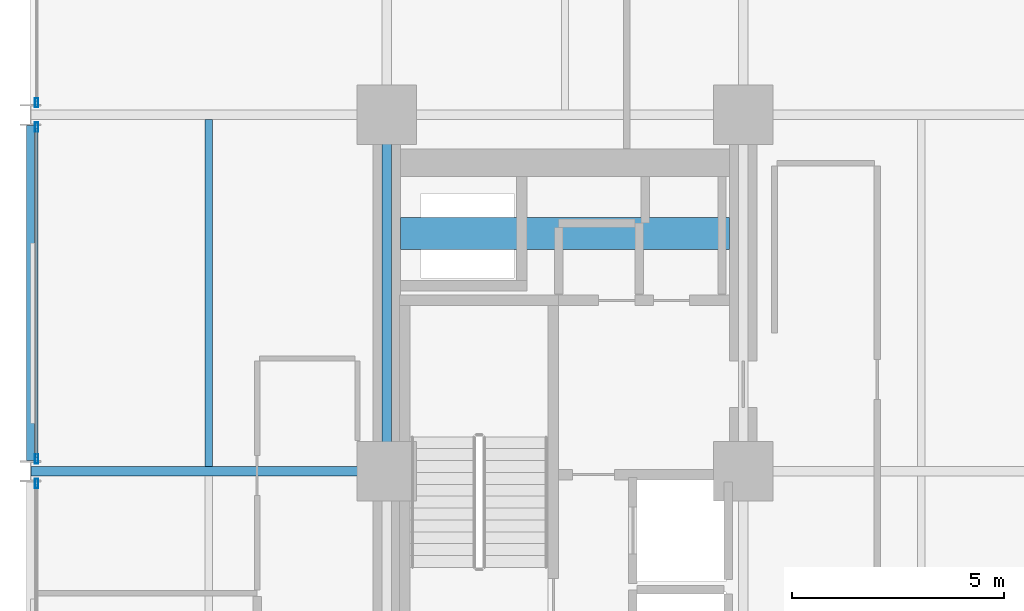
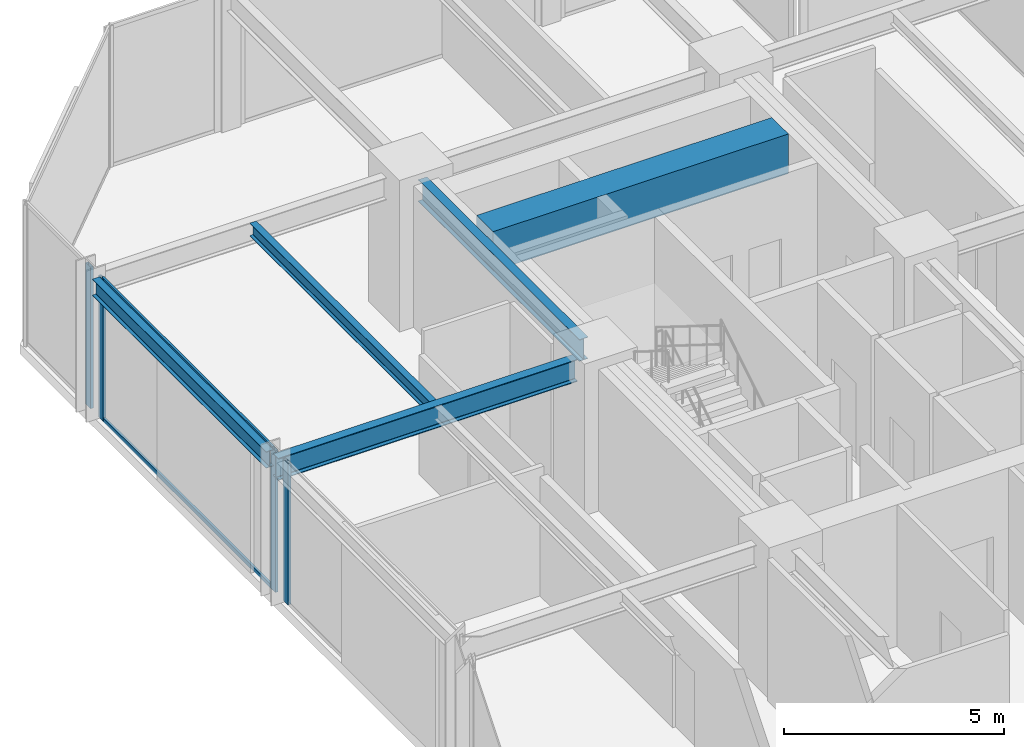
# One storey, part 14 of 25: 6 members, 5 beams, 3 elements without a shape of their own.
"""IFC4 building model written with IfcOpenShell, lengths in metres."""

from ifc_helpers import new_model, si_unit, direction, frame, origin, origin_2d, place, context, subcontext, project, spatial, rectangle, hollow_rectangle, i_section, extrude, material, layer, layer_set, material_profile, profile_set, type_object, element, aggregate, save


model = new_model("IFC4")

# Units and contexts
model_context = context("Model", 3, precision=1e-05, world=origin(), true_north=direction((0.0, 1.0)))
body_context = subcontext(model_context, "Body", "Model", "MODEL_VIEW")
ifc_project = project(units=[si_unit("LENGTHUNIT", "METRE"), si_unit("AREAUNIT", "SQUARE_METRE"), si_unit("VOLUMEUNIT", "CUBIC_METRE"), si_unit("PLANEANGLEUNIT", "RADIAN"), si_unit("MASSUNIT", "GRAM", prefix="KILO")], contexts=[model_context])

# Site, building, storey
site_placement = place(None, origin())
site = spatial("IfcSite", under=ifc_project, at=site_placement, CompositionType="ELEMENT")
building_placement = place(site_placement, origin())
building = spatial("IfcBuilding", under=site, at=building_placement, Name="Nerrivon Quay Data Exchange", CompositionType="ELEMENT")
storey_placement = place(building_placement, frame((0.0, 0.0, 58.39990234375)))
storey = spatial("IfcBuildingStorey", under=building, at=storey_placement, Name="L13", CompositionType="ELEMENT", Elevation=58.39990234375)

# Beams
ifc_material_1 = material(Name="Concrete S65 (65 MPa)", Category="concrete")
ifc_material_profile_1 = material_profile(ifc_material_1, rectangle(XDim=0.75, YDim=1.10009765625, at=origin_2d()), Name="RC-CB-750x1100")
ifc_profile_set_1 = profile_set([ifc_material_profile_1], Name="Concrete S65 (65 MPa)")
beam_type_1 = type_object("IfcBeamType", Name="BM-CB1-750x1100", PredefinedType="LINTEL", material=ifc_profile_set_1)
beam_1_placement = place(storey_placement, frame((8.72509765625, 39.199951171875, 3.375), z_axis=(1.0, 0.0, 0.0), x_axis=(0.0, 1.0, 0.0)))
element("IfcBeam", 1, at=beam_1_placement, inside=storey, type_object=beam_type_1, Name="L13 West Core Coupling Beam", PredefinedType="LINTEL", context=body_context, shape_type="SweptSolid", body=[
    extrude(rectangle(XDim=0.75, YDim=1.10009765625, at=origin_2d()), origin(), (0.0, 0.0, 1.0), 7.75),
])
ifc_material_2 = material(Name="Steel Grade 350", Category="steel")
ifc_material_profile_2 = material_profile(ifc_material_2, i_section(OverallWidth=0.22900390625, OverallDepth=0.612060546875, WebThickness=0.011962890625, FlangeThickness=0.01953125, FilletRadius=0.013916015625, at=origin_2d()), Name="610UB125")
ifc_profile_set_2 = profile_set([ifc_material_profile_2], Name="Steel Grade 350")
beam_type_2 = type_object("IfcBeamType", Name="BM-G1-610UB125", PredefinedType="BEAM", material=ifc_profile_set_2)
beam_2_placement = place(storey_placement, frame((0.013916015625, 33.60009765625, 3.619140625), z_axis=(1.0, 0.0, 0.0), x_axis=(0.0, 1.0, 0.0)))
element("IfcBeam", 2, at=beam_2_placement, inside=storey, type_object=beam_type_2, Name="L13 EW Girder Y=33.6 (0.0..8.4)", PredefinedType="BEAM", context=body_context, shape_type="SweptSolid", body=[
    extrude(i_section(OverallWidth=0.22900390625, OverallDepth=0.612060546875, WebThickness=0.011962890625, FlangeThickness=0.01953125, FilletRadius=0.013916015625, at=origin_2d()), origin(), (0.0, 0.0, 1.0), 7.84619140625),
])
ifc_material_profile_3 = material_profile(ifc_material_2, i_section(OverallWidth=0.22802734375, OverallDepth=0.60205078125, WebThickness=0.010498046875, FlangeThickness=0.014892578125, FilletRadius=0.013916015625, at=origin_2d()), Name="610UB101")
ifc_profile_set_3 = profile_set([ifc_material_profile_3], Name="Steel Grade 350")
beam_type_3 = type_object("IfcBeamType", Name="BM-G2-610UB101", PredefinedType="BEAM", material=ifc_profile_set_3)
beam_3_placement = place(storey_placement, frame((8.39990234375, 34.139892578125, 3.6240234375), z_axis=(0.0, 1.0, 0.0), x_axis=(-1.0, 0.0, 0.0)))
element("IfcBeam", 3, at=beam_3_placement, inside=storey, type_object=beam_type_3, Name="L13 NS Girder X=8.4 (33.6..42.0)", PredefinedType="BEAM", context=body_context, shape_type="SweptSolid", body=[
    extrude(i_section(OverallWidth=0.22802734375, OverallDepth=0.60205078125, WebThickness=0.010498046875, FlangeThickness=0.014892578125, FilletRadius=0.013916015625, at=origin_2d()), origin(), (0.0, 0.0, 1.0), 7.320068359375),
])
ifc_material_profile_4 = material_profile(ifc_material_2, i_section(OverallWidth=0.172119140625, OverallDepth=0.35888671875, WebThickness=0.008056640625, FlangeThickness=0.012939453125, FilletRadius=0.011474609375, at=origin_2d()), Name="360UB56.7")
ifc_profile_set_4 = profile_set([ifc_material_profile_4], Name="Steel Grade 350")
beam_type_4 = type_object("IfcBeamType", Name="BM-J3-360UB57", PredefinedType="JOIST", material=ifc_profile_set_4)
beam_4_placement = place(storey_placement, frame((4.199951171875, 33.714599609375, 3.74560546875), z_axis=(0.0, 1.0, 0.0), x_axis=(-1.0, 0.0, 0.0)))
element("IfcBeam", 4, at=beam_4_placement, inside=storey, type_object=beam_type_4, Name="L13 Secondary Joist X=4.2 (33.6..42.0)", PredefinedType="JOIST", context=body_context, shape_type="SweptSolid", body=[
    extrude(i_section(OverallWidth=0.172119140625, OverallDepth=0.35888671875, WebThickness=0.008056640625, FlangeThickness=0.012939453125, FilletRadius=0.011474609375, at=origin_2d()), origin(), (0.0, 0.0, 1.0), 8.1708984375),
])
ifc_material_profile_5 = material_profile(ifc_material_2, i_section(OverallWidth=0.18994140625, OverallDepth=0.4541015625, WebThickness=0.008544921875, FlangeThickness=0.0126953125, FilletRadius=0.011474609375, at=origin_2d()), Name="460UB67.1")
ifc_profile_set_5 = profile_set([ifc_material_profile_5], Name="Steel Grade 350")
beam_type_5 = type_object("IfcBeamType", Name="BM-SP1-460UB67", PredefinedType="SPANDREL", material=ifc_profile_set_5)
beam_5_placement = place(storey_placement, frame((0.0, 33.85009765625, 3.697998046875), z_axis=(0.0, 1.0, 0.0), x_axis=(-1.0, 0.0, 0.0)))
element("IfcBeam", 5, at=beam_5_placement, inside=storey, type_object=beam_type_5, Name="L13 NS Girder X=0.0 (33.6..42.0)", PredefinedType="SPANDREL", context=body_context, shape_type="SweptSolid", body=[
    extrude(i_section(OverallWidth=0.18994140625, OverallDepth=0.4541015625, WebThickness=0.008544921875, FlangeThickness=0.0126953125, FilletRadius=0.011474609375, at=origin_2d()), origin(), (0.0, 0.0, 1.0), 7.89990234375),
])

# Curtain wall, member
ifc_material_3 = material(Name="Anodised aluminium 6063-T6", Category="aluminium")
ifc_layer = layer(ifc_material_3, 0.219970703125)
ifc_layer_set = layer_set([ifc_layer], Name="Anodised aluminium 6063-T6")
curtain_wall_type = type_object("IfcCurtainWallType", Name="CW-SYS-01", PredefinedType="NOTDEFINED", material=ifc_layer_set)
curtain_wall_1_placement = place(storey_placement, origin())
curtain_wall_1 = element("IfcCurtainWall", 6, at=curtain_wall_1_placement, inside=storey, type_object=curtain_wall_type, Name="L13 Unitised Curtain Wall 16", PredefinedType="NOTDEFINED")
ifc_material_profile_6 = material_profile(ifc_material_3, hollow_rectangle(XDim=0.074951171875, YDim=0.219970703125, WallThickness=0.00390625, at=origin_2d()), Name="ALU-MULL-220x75")
ifc_profile_set_6 = profile_set([ifc_material_profile_6], Name="Anodised aluminium 6063-T6")
member_type_1 = type_object("IfcMemberType", Name="CWM-220x75", PredefinedType="MULLION", material=ifc_profile_set_6)
member_1_placement = place(storey_placement, frame((0.139892578125, 33.3125, 0.0), z_axis=(0.0, 0.0, 1.0), x_axis=(-1.0, 0.0, 0.0)))
member_1 = element("IfcMember", 7, at=member_1_placement, type_object=member_type_1, Name="CW01 mullion 2", PredefinedType="MULLION", context=body_context, shape_type="SweptSolid", body=[
    extrude(hollow_rectangle(XDim=0.074951171875, YDim=0.219970703125, WallThickness=0.00390625, at=origin_2d()), origin(), (0.0, 0.0, 1.0), 3.925048828125),
])
aggregate(curtain_wall_1, [member_1])

# Curtain wall, members
curtain_wall_2_placement = place(storey_placement, origin())
curtain_wall_2 = element("IfcCurtainWall", 8, at=curtain_wall_2_placement, inside=storey, type_object=curtain_wall_type, Name="L13 Unitised Curtain Wall 17", PredefinedType="NOTDEFINED")
member_2_placement = place(storey_placement, frame((0.139892578125, 33.887451171875, 0.0), z_axis=(0.0, 0.0, 1.0), x_axis=(-1.0, 0.0, 0.0)))
member_2 = element("IfcMember", 9, at=member_2_placement, type_object=member_type_1, Name="CW01 mullion 1", PredefinedType="MULLION", context=body_context, shape_type="SweptSolid", body=[
    extrude(hollow_rectangle(XDim=0.074951171875, YDim=0.219970703125, WallThickness=0.00390625, at=origin_2d()), origin(), (0.0, 0.0, 1.0), 3.925048828125),
])
member_3_placement = place(storey_placement, frame((0.139892578125, 41.71240234375, 0.0), z_axis=(0.0, 0.0, 1.0), x_axis=(-1.0, 0.0, 0.0)))
member_3 = element("IfcMember", 10, at=member_3_placement, type_object=member_type_1, Name="CW01 mullion 2", PredefinedType="MULLION", context=body_context, shape_type="SweptSolid", body=[
    extrude(hollow_rectangle(XDim=0.074951171875, YDim=0.219970703125, WallThickness=0.00390625, at=origin_2d()), origin(), (0.0, 0.0, 1.0), 3.925048828125),
])

# Curtain wall, member
curtain_wall_3_placement = place(storey_placement, origin())
curtain_wall_3 = element("IfcCurtainWall", 11, at=curtain_wall_3_placement, inside=storey, type_object=curtain_wall_type, Name="L13 Unitised Curtain Wall 18", PredefinedType="NOTDEFINED")
member_4_placement = place(storey_placement, frame((0.139892578125, 42.28759765625, 0.0), z_axis=(0.0, 0.0, 1.0), x_axis=(-1.0, 0.0, 0.0)))
member_4 = element("IfcMember", 12, at=member_4_placement, type_object=member_type_1, Name="CW01 mullion 1", PredefinedType="MULLION", context=body_context, shape_type="SweptSolid", body=[
    extrude(hollow_rectangle(XDim=0.074951171875, YDim=0.219970703125, WallThickness=0.00390625, at=origin_2d()), origin(), (0.0, 0.0, 1.0), 3.925048828125),
])
aggregate(curtain_wall_3, [member_4])

# Member
ifc_material_profile_7 = material_profile(ifc_material_3, hollow_rectangle(XDim=0.06005859375, YDim=0.1201171875, WallThickness=0.003173828125, at=origin_2d()), Name="ALU-TRAN-120x60")
ifc_profile_set_7 = profile_set([ifc_material_profile_7], Name="Anodised aluminium 6063-T6")
member_type_2 = type_object("IfcMemberType", Name="CWT-120x60", PredefinedType="USERDEFINED", material=ifc_profile_set_7)
member_5_placement = place(storey_placement, frame((0.139892578125, 33.925048828125, 0.03271484375), z_axis=(0.0, 1.0, 0.0), x_axis=(-1.0, 0.0, 0.0)))
member_5 = element("IfcMember", 13, at=member_5_placement, type_object=member_type_2, Name="CW01 transom 1.1", ObjectType="TRANSOM", PredefinedType="USERDEFINED", context=body_context, shape_type="SweptSolid", body=[
    extrude(hollow_rectangle(XDim=0.06005859375, YDim=0.1201171875, WallThickness=0.003173828125, at=origin_2d()), origin(), (0.0, 0.0, 1.0), 7.75),
])

member_6_placement = place(storey_placement, frame((0.139892578125, 33.925048828125, 3.892578125), z_axis=(0.0, 1.0, 0.0), x_axis=(-1.0, 0.0, 0.0)))
member_6 = element("IfcMember", 14, at=member_6_placement, type_object=member_type_2, Name="CW01 transom 1.2", ObjectType="TRANSOM", PredefinedType="USERDEFINED", context=body_context, shape_type="SweptSolid", body=[
    extrude(hollow_rectangle(XDim=0.06005859375, YDim=0.1201171875, WallThickness=0.003173828125, at=origin_2d()), origin(), (0.0, 0.0, 1.0), 7.75),
])

aggregate(curtain_wall_2, [member_2, member_3, member_5, member_6])

save(model, "model.ifc")
